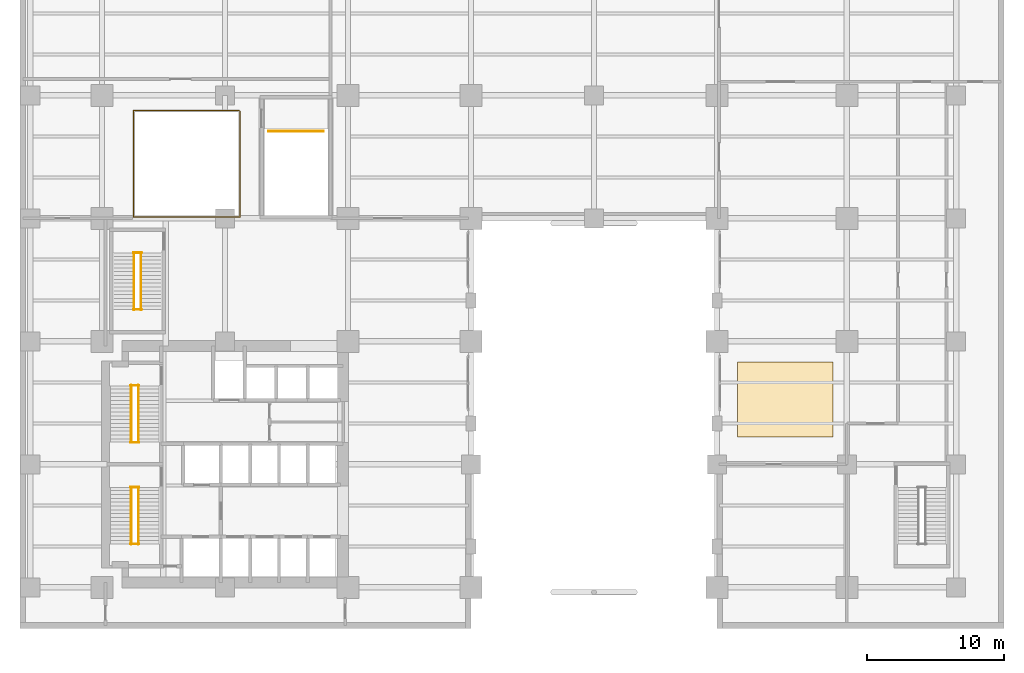
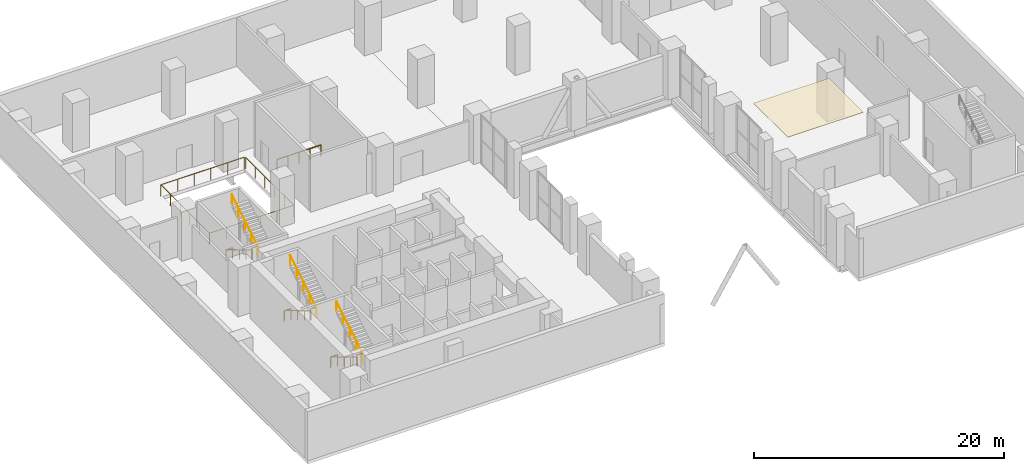
# One storey, part 12 of 13: 15 railings, 1 covering.
"""IFC4 building model written with IfcOpenShell, lengths in metres."""

import ifcopenshell
import ifcopenshell.guid

model = None  # the IFC model being written
_history = None  # IfcOwnerHistory: only IFC2X3 demands one
_inside = {}  # id of a spatial element -> (the spatial element, [elements in it])
_under = {}  # id of a project, library or spatial element -> (it, [spatial elements below it])
_declared = {}  # id of a project -> (the project, [libraries it declares])
_typed = {}  # id of a type object -> (the type object, [elements of that type])
_made_of = {}  # id of a material, layer set ... -> (it, [elements and type objects made of it])


def new_model(schema):
    """Start an empty IFC model of exactly this schema.

    Asked for "IFC4X3", IfcOpenShell would pick the latest addendum, in which some entities
    have other attributes; the version numbers below select the first issue.
    IFC2X3 requires an IfcOwnerHistory on every rooted entity: one is made here for all.
    """
    global model, _history
    if schema == "IFC4X3":
        model = ifcopenshell.file(schema_version=(4, 3, 0, 0))
    else:
        model = ifcopenshell.file(schema=schema)
    _inside.clear()
    _under.clear()
    _declared.clear()
    _typed.clear()
    _made_of.clear()
    _history = None
    if model.schema == "IFC2X3":
        org = make("IfcOrganization", Name="unknown")
        user = make(
            "IfcPersonAndOrganization",
            ThePerson=make("IfcPerson", FamilyName="unknown"),
            TheOrganization=org,
        )
        app = make(
            "IfcApplication",
            ApplicationDeveloper=org,
            Version="unknown",
            ApplicationFullName="unknown",
            ApplicationIdentifier="unknown",
        )
        _history = make(
            "IfcOwnerHistory",
            OwningUser=user,
            OwningApplication=app,
            ChangeAction="ADDED",
            CreationDate=0,
        )
    return model


def make(cls, **values):
    """One entity of the class cls with the attributes given. An attribute that is None is left unset."""
    return model.create_entity(
        cls, **{name: value for name, value in values.items() if value is not None}
    )


def rooted(cls, **values):
    """An entity with a GlobalId (a new one), such as an element, a storey or a relation."""
    return make(cls, GlobalId=ifcopenshell.guid.new(), OwnerHistory=_history, **values)


def si_unit(unit_type, name, prefix=None):
    """IfcSIUnit, for example si_unit("LENGTHUNIT", "METRE", prefix="MILLI")."""
    return make("IfcSIUnit", UnitType=unit_type, Prefix=prefix, Name=name)


def assignment(units):
    """IfcUnitAssignment: the units of a project."""
    return None if units is None else make("IfcUnitAssignment", Units=units)


def point(xyz):
    """IfcCartesianPoint."""
    return None if xyz is None else make("IfcCartesianPoint", Coordinates=xyz)


def direction(xyz):
    """IfcDirection."""
    return None if xyz is None else make("IfcDirection", DirectionRatios=xyz)


def frame(location, z_axis=None, x_axis=None):
    """IfcAxis2Placement3D, a coordinate frame: its origin and axes. An axis left out is left unset."""
    return make(
        "IfcAxis2Placement3D",
        Location=point(location),
        Axis=direction(z_axis),
        RefDirection=direction(x_axis),
    )


def frame_2d(location, x_axis=None):
    """IfcAxis2Placement2D, a coordinate frame in the plane: its origin and x axis."""
    return make(
        "IfcAxis2Placement2D", Location=point(location), RefDirection=direction(x_axis)
    )


def origin():
    """The frame at (0, 0, 0) with its axes left unset."""
    return frame((0.0, 0.0, 0.0))


def origin_2d():
    """The frame at (0, 0) in the plane with its x axis left unset."""
    return frame_2d((0.0, 0.0))


def place(relative_to, where):
    """IfcLocalPlacement: puts the frame where relative to a parent placement (None: the world)."""
    return make(
        "IfcLocalPlacement", PlacementRelTo=relative_to, RelativePlacement=where
    )


def context(
    kind, dimensions, precision=None, world=None, true_north=None, identifier=None
):
    """IfcGeometricRepresentationContext, for example the 3D "Model" context."""
    return make(
        "IfcGeometricRepresentationContext",
        ContextIdentifier=identifier,
        ContextType=kind,
        CoordinateSpaceDimension=dimensions,
        Precision=precision,
        WorldCoordinateSystem=world,
        TrueNorth=true_north,
    )


def subcontext(parent, identifier, kind, view, scale=None):
    """IfcGeometricRepresentationSubContext, for example "Body" below "Model"."""
    return make(
        "IfcGeometricRepresentationSubContext",
        ContextIdentifier=identifier,
        ContextType=kind,
        ParentContext=parent,
        TargetScale=scale,
        TargetView=view,
    )


def project(units=None, contexts=None):
    """IfcProject with its units and contexts."""
    return rooted(
        "IfcProject",
        Name="project",
        RepresentationContexts=contexts,
        UnitsInContext=assignment(units),
    )


def spatial(cls, under=None, at=None, **own):
    """A site, building, storey or space (cls), placed at a placement, below another one or the project."""
    s = rooted(cls, ObjectPlacement=at, **own)
    if under is not None:
        _under.setdefault(under.id(), (under, []))[1].append(s)
    return s


def polyline(points):
    """IfcPolyline through the points."""
    return make("IfcPolyline", Points=[point(p) for p in points])


def profile(cls, at=None, kind="AREA", **sizes):
    """A parametric profile (cls). Its sizes go by their IFC names, for example OverallWidth=200.0."""
    return make(cls, ProfileType=kind, Position=at, **sizes)


def circle(**sizes):
    """IfcCircleProfileDef."""
    return profile("IfcCircleProfileDef", **sizes)


def outline(outer, holes=None, kind="AREA"):
    """IfcArbitraryClosedProfileDef: a profile drawn as a closed curve; with holes, ...WithVoids."""
    if holes is None:
        return make("IfcArbitraryClosedProfileDef", ProfileType=kind, OuterCurve=outer)
    return make(
        "IfcArbitraryProfileDefWithVoids",
        ProfileType=kind,
        OuterCurve=outer,
        InnerCurves=holes,
    )


def extrude(swept, where, along, depth):
    """IfcExtrudedAreaSolid: the profile swept, set in the frame where, extruded along a direction by depth."""
    return make(
        "IfcExtrudedAreaSolid",
        SweptArea=swept,
        Position=where,
        ExtrudedDirection=direction(along),
        Depth=depth,
    )


def shape(context_of_items, identifier, shape_type, items):
    """IfcShapeRepresentation: the items that make up one representation, for example the "Body"."""
    return make(
        "IfcShapeRepresentation",
        ContextOfItems=context_of_items,
        RepresentationIdentifier=identifier,
        RepresentationType=shape_type,
        Items=items,
    )


def material(Name=None, Category=None):
    """IfcMaterial."""
    return make("IfcMaterial", Name=Name, Category=Category)


def layer(
    of_material, thickness, ventilated=None, Name=None, Category=None, Priority=None
):
    """IfcMaterialLayer: one layer of a wall or slab, of a material (None: an air gap)."""
    return make(
        "IfcMaterialLayer",
        Material=of_material,
        LayerThickness=thickness,
        IsVentilated=ventilated,
        Name=Name,
        Category=Category,
        Priority=Priority,
    )


def layer_set(layers, Name=None):
    """IfcMaterialLayerSet."""
    return make("IfcMaterialLayerSet", MaterialLayers=layers, LayerSetName=Name)


def made_of(thing, what):
    """Note that an element or type object is made of a material, layer set ...; save() writes the relation."""
    if what is not None:
        _made_of.setdefault(what.id(), (what, []))[1].append(thing)
    return thing


def type_object(cls, material=None, **own):
    """A type object (cls), such as IfcWallType, which elements share."""
    return made_of(rooted(cls, **own), material)


def element(
    cls,
    number,
    at=None,
    inside=None,
    cuts=None,
    type_object=None,
    material=None,
    context=None,
    identifier="Body",
    shape_type=None,
    held_by="IfcProductDefinitionShape",
    body=None,
    shapes=None,
    **own,
):
    """One element of the class cls, such as IfcWall. Its Tag is "e" and its number.

    at: its placement. inside: the storey or other place that contains it. cuts: it is an
    opening in that element (IfcRelVoidsElement). A single representation is given by context,
    identifier, shape_type and body (its items); several are given by shapes. held_by: the class
    of the entity that holds the representations. save() writes the other relations.
    """
    e = rooted(cls, Tag="e%d" % number, ObjectPlacement=at, **own)
    if body is not None:
        shapes = [shape(context, identifier, shape_type, body)]
    if shapes is not None:
        e.Representation = make(held_by, Representations=shapes)
    if inside is not None:
        _inside.setdefault(inside.id(), (inside, []))[1].append(e)
    if cuts is not None:
        rooted(
            "IfcRelVoidsElement", RelatingBuildingElement=cuts, RelatedOpeningElement=e
        )
    if type_object is not None:
        _typed.setdefault(type_object.id(), (type_object, []))[1].append(e)
    return made_of(e, material)


def aggregate(whole, parts):
    """IfcRelAggregates: a whole, such as a stair, and the parts it consists of."""
    return rooted("IfcRelAggregates", RelatingObject=whole, RelatedObjects=parts)


def save(model, path):
    """Write the relations noted so far, then the file.

    IfcRelAggregates (storeys below a building ...), IfcRelContainedInSpatialStructure (elements
    in a storey), IfcRelDefinesByType, IfcRelAssociatesMaterial and IfcRelDeclares: one each for
    every whole, place, type object, material and project.
    """
    for whole, parts in _under.values():
        aggregate(whole, parts)
    for where, things in _inside.values():
        rooted(
            "IfcRelContainedInSpatialStructure",
            RelatedElements=things,
            RelatingStructure=where,
        )
    for kind, things in _typed.values():
        rooted("IfcRelDefinesByType", RelatedObjects=things, RelatingType=kind)
    for what, things in _made_of.values():
        rooted("IfcRelAssociatesMaterial", RelatedObjects=things, RelatingMaterial=what)
    for by, libraries in _declared.values():
        rooted("IfcRelDeclares", RelatingContext=by, RelatedDefinitions=libraries)
    model.write(path)


model = new_model("IFC4")

# Units and contexts
model_context = context("Model", 3, precision=1e-05, world=origin(), true_north=direction((0.0, 1.0)))
body_context = subcontext(model_context, "Body", "Model", "MODEL_VIEW")
ifc_project = project(units=[si_unit("LENGTHUNIT", "METRE"), si_unit("AREAUNIT", "SQUARE_METRE"), si_unit("VOLUMEUNIT", "CUBIC_METRE"), si_unit("PLANEANGLEUNIT", "RADIAN"), si_unit("MASSUNIT", "GRAM", prefix="KILO")], contexts=[model_context])

# Site, building, storey
site_placement = place(None, origin())
site = spatial("IfcSite", under=ifc_project, at=site_placement, CompositionType="ELEMENT")
building_placement = place(site_placement, origin())
building = spatial("IfcBuilding", under=site, at=building_placement, Name="Mawjdan Bourse Tower", CompositionType="ELEMENT")
storey_placement = place(building_placement, frame((0.0, 0.0, 10.800048828125)))
storey = spatial("IfcBuildingStorey", under=building, at=storey_placement, Name="L02", CompositionType="ELEMENT", Elevation=10.800048828125)

# Covering
ifc_material_1 = material(Name="Perforated Mineral-Fibre Acoustic Ceiling")
ifc_layer = layer(ifc_material_1, 0.044921875)
ifc_layer_set = layer_set([ifc_layer], Name="Perforated Mineral-Fibre Acoustic Ceiling")
covering_type = type_object("IfcCoveringType", Name="COV-CLG-AC", PredefinedType="CEILING", material=ifc_layer_set)
covering_placement = place(storey_placement, frame((0.0, 0.0, 4.7548828125)))
element("IfcCovering", 1, at=covering_placement, inside=storey, type_object=covering_type, Name="L02 Suspended Acoustic Ceiling", PredefinedType="CEILING", context=body_context, shape_type="SweptSolid", body=[
    extrude(outline(polyline([(52.5, 14.0), (59.5, 14.0), (59.5, 19.5), (52.5, 19.5), (52.5, 14.0)])), origin(), (0.0, 0.0, 1.0), 0.045166015625),
])

# Railings
ifc_material_2 = material(Name="Stainless Steel and Laminated Glass", Category="steel")
railing_type_1 = type_object("IfcRailingType", Name="RLG-BAL-1150", PredefinedType="BALUSTRADE", material=ifc_material_2)
railing_1_placement = place(storey_placement, frame((8.300048828125, 30.10009765625, 0.0)))
element("IfcRailing", 2, at=railing_1_placement, inside=storey, type_object=railing_type_1, Name="L02 Exchange Hall Overlook Balustrade SE", PredefinedType="BALUSTRADE", context=body_context, shape_type="SweptSolid", body=[
    extrude(circle(Radius=0.02685546875, at=origin_2d()), frame((0.0, 0.0, 1.123046875), z_axis=(1.0, 0.0, 0.0), x_axis=(0.0, 1.0, 0.0)), (0.0, 0.0, 1.0), 7.800048828125),
    extrude(circle(Radius=0.02685546875, at=origin_2d()), frame((7.800048828125, 0.0, 1.123046875), z_axis=(0.0, 1.0, 0.0), x_axis=(-1.0, 0.0, 0.0)), (0.0, 0.0, 1.0), 7.719970703125),
    extrude(circle(Radius=0.02294921875, at=origin_2d()), origin(), (0.0, 0.0, 1.0), 1.095947265625),
    extrude(circle(Radius=0.02294921875, at=origin_2d()), frame((1.56005859375, 0.0, 0.0)), (0.0, 0.0, 1.0), 1.095947265625),
    extrude(circle(Radius=0.02294921875, at=origin_2d()), frame((3.1201171875, 0.0, 0.0)), (0.0, 0.0, 1.0), 1.095947265625),
    extrude(circle(Radius=0.02294921875, at=origin_2d()), frame((4.679931640625, 0.0, 0.0)), (0.0, 0.0, 1.0), 1.095947265625),
    extrude(circle(Radius=0.02294921875, at=origin_2d()), frame((6.239990234375, 0.0, 0.0)), (0.0, 0.0, 1.0), 1.095947265625),
    extrude(circle(Radius=0.02294921875, at=origin_2d()), frame((7.800048828125, 0.0, 0.0)), (0.0, 0.0, 1.0), 1.095947265625),
    extrude(circle(Radius=0.02294921875, at=origin_2d()), frame((7.800048828125, 1.5439453125, 0.0)), (0.0, 0.0, 1.0), 1.095947265625),
    extrude(circle(Radius=0.02294921875, at=origin_2d()), frame((7.800048828125, 3.087890625, 0.0)), (0.0, 0.0, 1.0), 1.095947265625),
    extrude(circle(Radius=0.02294921875, at=origin_2d()), frame((7.800048828125, 4.632080078125, 0.0)), (0.0, 0.0, 1.0), 1.095947265625),
    extrude(circle(Radius=0.02294921875, at=origin_2d()), frame((7.800048828125, 6.176025390625, 0.0)), (0.0, 0.0, 1.0), 1.095947265625),
    extrude(circle(Radius=0.02294921875, at=origin_2d()), frame((7.800048828125, 7.719970703125, 0.0)), (0.0, 0.0, 1.0), 1.095947265625),
])
railing_2_placement = place(storey_placement, frame((16.02001953125, 37.89990234375, 0.0)))
element("IfcRailing", 3, at=railing_2_placement, inside=storey, type_object=railing_type_1, Name="L02 Exchange Hall Overlook Balustrade NW", PredefinedType="BALUSTRADE", context=body_context, shape_type="SweptSolid", body=[
    extrude(circle(Radius=0.02685546875, at=origin_2d()), frame((0.0, 0.0, 1.123046875), z_axis=(-1.0, 0.0, 0.0), x_axis=(0.0, -1.0, 0.0)), (0.0, 0.0, 1.0), 7.719970703125),
    extrude(circle(Radius=0.02685546875, at=origin_2d()), frame((-7.719970703125, 0.0, 1.123046875), z_axis=(0.0, -1.0, 0.0), x_axis=(1.0, 0.0, 0.0)), (0.0, 0.0, 1.0), 7.719970703125),
    extrude(circle(Radius=0.02294921875, at=origin_2d()), origin(), (0.0, 0.0, 1.0), 1.095947265625),
    extrude(circle(Radius=0.02294921875, at=origin_2d()), frame((-1.5439453125, 0.0, 0.0)), (0.0, 0.0, 1.0), 1.095947265625),
    extrude(circle(Radius=0.02294921875, at=origin_2d()), frame((-3.087890625, 0.0, 0.0)), (0.0, 0.0, 1.0), 1.095947265625),
    extrude(circle(Radius=0.02294921875, at=origin_2d()), frame((-4.632080078125, 0.0, 0.0)), (0.0, 0.0, 1.0), 1.095947265625),
    extrude(circle(Radius=0.02294921875, at=origin_2d()), frame((-6.176025390625, 0.0, 0.0)), (0.0, 0.0, 1.0), 1.095947265625),
    extrude(circle(Radius=0.02294921875, at=origin_2d()), frame((-7.719970703125, 0.0, 0.0)), (0.0, 0.0, 1.0), 1.095947265625),
    extrude(circle(Radius=0.02294921875, at=origin_2d()), frame((-7.719970703125, -1.5439453125, 0.0)), (0.0, 0.0, 1.0), 1.095947265625),
    extrude(circle(Radius=0.02294921875, at=origin_2d()), frame((-7.719970703125, -3.087890625, 0.0)), (0.0, 0.0, 1.0), 1.095947265625),
    extrude(circle(Radius=0.02294921875, at=origin_2d()), frame((-7.719970703125, -4.632080078125, 0.0)), (0.0, 0.0, 1.0), 1.095947265625),
    extrude(circle(Radius=0.02294921875, at=origin_2d()), frame((-7.719970703125, -6.176025390625, 0.0)), (0.0, 0.0, 1.0), 1.095947265625),
    extrude(circle(Radius=0.02294921875, at=origin_2d()), frame((-7.719970703125, -7.719970703125, 0.0)), (0.0, 0.0, 1.0), 1.095947265625),
])
ifc_material_3 = material(Name="Structural Steel S355", Category="steel")
railing_type_2 = type_object("IfcRailingType", Name="RLG-GRD-1100", PredefinedType="GUARDRAIL", material=ifc_material_3)
for number, where, name in (
    (4, (8.090087890625, 6.169921875, 2.699951171875), "L02 ST1 Landing Guardrail GL-MID"),
    (5, (8.090087890625, 10.330078125, 0.0), "L02 ST1 Landing Guardrail GL-BOT"),
    (6, (8.090087890625, 13.610107421875, 2.699951171875), "L02 ST2 Landing Guardrail GL-MID"),
    (7, (8.090087890625, 17.77001953125, 0.0), "L02 ST2 Landing Guardrail GL-BOT"),
    (8, (8.2900390625, 23.320068359375, 2.699951171875), "L02 ST3 Landing Guardrail GL-MID"),
    (9, (8.2900390625, 27.47998046875, 0.0), "L02 ST3 Landing Guardrail GL-BOT"),
):
    element("IfcRailing", number, at=place(storey_placement, frame(where)), inside=storey, type_object=railing_type_2, Name=name, PredefinedType="GUARDRAIL", context=body_context, shape_type="SweptSolid", body=[
        extrude(circle(Radius=0.02490234375, at=origin_2d()), frame((0.0, 0.0, 1.0751953125), z_axis=(1.0, 0.0, 0.0), x_axis=(0.0, 1.0, 0.0)), (0.0, 0.0, 1.0), 0.619873046875),
        extrude(circle(Radius=0.02099609375, at=origin_2d()), origin(), (0.0, 0.0, 1.0), 1.050048828125),
        extrude(circle(Radius=0.02099609375, at=origin_2d()), frame((0.619873046875, 0.0, 0.0)), (0.0, 0.0, 1.0), 1.050048828125),
    ])
railing_3_placement = place(storey_placement, frame((18.179931640625, 36.3701171875, 0.0)))
element("IfcRailing", 10, at=railing_3_placement, inside=storey, type_object=railing_type_2, Name="L02 ST4 Top Well Guardrail", PredefinedType="GUARDRAIL", context=body_context, shape_type="SweptSolid", body=[
    extrude(circle(Radius=0.02490234375, at=origin_2d()), frame((0.0, 0.0, 1.0751953125), z_axis=(1.0, 0.0, 0.0), x_axis=(0.0, 1.0, 0.0)), (0.0, 0.0, 1.0), 4.0400390625),
    extrude(circle(Radius=0.02099609375, at=origin_2d()), origin(), (0.0, 0.0, 1.0), 1.050048828125),
    extrude(circle(Radius=0.02099609375, at=origin_2d()), frame((1.010009765625, 0.0, 0.0)), (0.0, 0.0, 1.0), 1.050048828125),
    extrude(circle(Radius=0.02099609375, at=origin_2d()), frame((2.02001953125, 0.0, 0.0)), (0.0, 0.0, 1.0), 1.050048828125),
    extrude(circle(Radius=0.02099609375, at=origin_2d()), frame((3.030029296875, 0.0, 0.0)), (0.0, 0.0, 1.0), 1.050048828125),
    extrude(circle(Radius=0.02099609375, at=origin_2d()), frame((4.0400390625, 0.0, 0.0)), (0.0, 0.0, 1.0), 1.050048828125),
])
ifc_material_4 = material(Name="Brushed Stainless Steel", Category="steel")
railing_type_3 = type_object("IfcRailingType", Name="RLG-HND-920", PredefinedType="HANDRAIL", material=ifc_material_4)
railing_4_placement = place(storey_placement, frame((8.139892578125, 10.35009765625, 0.168701171875)))
element("IfcRailing", 11, at=railing_4_placement, inside=storey, type_object=railing_type_3, Name="L02 ST1 Flight Handrail HR1", PredefinedType="HANDRAIL", context=body_context, shape_type="SweptSolid", body=[
    extrude(circle(Radius=0.0224609375, at=origin_2d()), frame((0.0, 0.0, 0.8974609375), z_axis=(0.0, -0.856489757249, 0.516164020179), x_axis=(1.0, 0.0, 0.0)), (0.0, 0.0, 1.0), 4.904052734375),
    extrude(circle(Radius=0.01904296875, at=origin_2d()), origin(), (0.0, 0.0, 1.0), 0.875),
    extrude(circle(Radius=0.01904296875, at=origin_2d()), frame((0.0, -1.050048828125, 0.6328125)), (0.0, 0.0, 1.0), 0.875),
    extrude(circle(Radius=0.01904296875, at=origin_2d()), frame((0.0, -2.10009765625, 1.265625)), (0.0, 0.0, 1.0), 0.875),
    extrude(circle(Radius=0.01904296875, at=origin_2d()), frame((0.0, -3.150146484375, 1.8984375)), (0.0, 0.0, 1.0), 0.875),
    extrude(circle(Radius=0.01904296875, at=origin_2d()), frame((0.0, -4.2001953125, 2.53125)), (0.0, 0.0, 1.0), 0.875),
])
railing_5_placement = place(storey_placement, frame((8.659912109375, 6.14990234375, 2.86865234375)))
element("IfcRailing", 12, at=railing_5_placement, inside=storey, type_object=railing_type_3, Name="L02 ST1 Flight Handrail HR2", PredefinedType="HANDRAIL", context=body_context, shape_type="SweptSolid", body=[
    extrude(circle(Radius=0.0224609375, at=origin_2d()), frame((0.0, 0.0, 0.8974609375), z_axis=(0.0, 0.856489757249, 0.516164020179), x_axis=(-1.0, 0.0, 0.0)), (0.0, 0.0, 1.0), 4.904052734375),
    extrude(circle(Radius=0.01904296875, at=origin_2d()), origin(), (0.0, 0.0, 1.0), 0.875),
    extrude(circle(Radius=0.01904296875, at=origin_2d()), frame((0.0, 1.050048828125, 0.6328125)), (0.0, 0.0, 1.0), 0.875),
    extrude(circle(Radius=0.01904296875, at=origin_2d()), frame((0.0, 2.10009765625, 1.265625)), (0.0, 0.0, 1.0), 0.875),
    extrude(circle(Radius=0.01904296875, at=origin_2d()), frame((0.0, 3.150146484375, 1.8984375)), (0.0, 0.0, 1.0), 0.875),
    extrude(circle(Radius=0.01904296875, at=origin_2d()), frame((0.0, 4.2001953125, 2.53125)), (0.0, 0.0, 1.0), 0.875),
])
railing_6_placement = place(storey_placement, frame((8.139892578125, 17.7900390625, 0.168701171875)))
element("IfcRailing", 13, at=railing_6_placement, inside=storey, type_object=railing_type_3, Name="L02 ST2 Flight Handrail HR1", PredefinedType="HANDRAIL", context=body_context, shape_type="SweptSolid", body=[
    extrude(circle(Radius=0.0224609375, at=origin_2d()), frame((0.0, 0.0, 0.8974609375), z_axis=(0.0, -0.856476492594, 0.516186030065), x_axis=(1.0, 0.0, 0.0)), (0.0, 0.0, 1.0), 4.90380859375),
    extrude(circle(Radius=0.01904296875, at=origin_2d()), origin(), (0.0, 0.0, 1.0), 0.875),
    extrude(circle(Radius=0.01904296875, at=origin_2d()), frame((0.0, -1.050048828125, 0.6328125)), (0.0, 0.0, 1.0), 0.875),
    extrude(circle(Radius=0.01904296875, at=origin_2d()), frame((0.0, -2.10009765625, 1.265625)), (0.0, 0.0, 1.0), 0.875),
    extrude(circle(Radius=0.01904296875, at=origin_2d()), frame((0.0, -3.14990234375, 1.8984375)), (0.0, 0.0, 1.0), 0.875),
    extrude(circle(Radius=0.01904296875, at=origin_2d()), frame((0.0, -4.199951171875, 2.53125)), (0.0, 0.0, 1.0), 0.875),
])
railing_7_placement = place(storey_placement, frame((8.659912109375, 13.590087890625, 2.86865234375)))
element("IfcRailing", 14, at=railing_7_placement, inside=storey, type_object=railing_type_3, Name="L02 ST2 Flight Handrail HR2", PredefinedType="HANDRAIL", context=body_context, shape_type="SweptSolid", body=[
    extrude(circle(Radius=0.0224609375, at=origin_2d()), frame((0.0, 0.0, 0.8974609375), z_axis=(0.0, 0.856476492594, 0.516186030065), x_axis=(-1.0, 0.0, 0.0)), (0.0, 0.0, 1.0), 4.90380859375),
    extrude(circle(Radius=0.01904296875, at=origin_2d()), origin(), (0.0, 0.0, 1.0), 0.875),
    extrude(circle(Radius=0.01904296875, at=origin_2d()), frame((0.0, 1.050048828125, 0.6328125)), (0.0, 0.0, 1.0), 0.875),
    extrude(circle(Radius=0.01904296875, at=origin_2d()), frame((0.0, 2.10009765625, 1.265625)), (0.0, 0.0, 1.0), 0.875),
    extrude(circle(Radius=0.01904296875, at=origin_2d()), frame((0.0, 3.14990234375, 1.8984375)), (0.0, 0.0, 1.0), 0.875),
    extrude(circle(Radius=0.01904296875, at=origin_2d()), frame((0.0, 4.199951171875, 2.53125)), (0.0, 0.0, 1.0), 0.875),
])
railing_8_placement = place(storey_placement, frame((8.340087890625, 27.5, 0.168701171875)))
element("IfcRailing", 15, at=railing_8_placement, inside=storey, type_object=railing_type_3, Name="L02 ST3 Flight Handrail HR1", PredefinedType="HANDRAIL", context=body_context, shape_type="SweptSolid", body=[
    extrude(circle(Radius=0.0224609375, at=origin_2d()), frame((0.0, 0.0, 0.8974609375), z_axis=(0.0, -0.856476492594, 0.516186030065), x_axis=(1.0, 0.0, 0.0)), (0.0, 0.0, 1.0), 4.90380859375),
    extrude(circle(Radius=0.01904296875, at=origin_2d()), origin(), (0.0, 0.0, 1.0), 0.875),
    extrude(circle(Radius=0.01904296875, at=origin_2d()), frame((0.0, -1.050048828125, 0.6328125)), (0.0, 0.0, 1.0), 0.875),
    extrude(circle(Radius=0.01904296875, at=origin_2d()), frame((0.0, -2.10009765625, 1.265625)), (0.0, 0.0, 1.0), 0.875),
    extrude(circle(Radius=0.01904296875, at=origin_2d()), frame((0.0, -3.14990234375, 1.8984375)), (0.0, 0.0, 1.0), 0.875),
    extrude(circle(Radius=0.01904296875, at=origin_2d()), frame((0.0, -4.199951171875, 2.53125)), (0.0, 0.0, 1.0), 0.875),
])
railing_9_placement = place(storey_placement, frame((8.860107421875, 23.300048828125, 2.86865234375)))
element("IfcRailing", 16, at=railing_9_placement, inside=storey, type_object=railing_type_3, Name="L02 ST3 Flight Handrail HR2", PredefinedType="HANDRAIL", context=body_context, shape_type="SweptSolid", body=[
    extrude(circle(Radius=0.0224609375, at=origin_2d()), frame((0.0, 0.0, 0.8974609375), z_axis=(0.0, 0.856476492594, 0.516186030065), x_axis=(-1.0, 0.0, 0.0)), (0.0, 0.0, 1.0), 4.90380859375),
    extrude(circle(Radius=0.01904296875, at=origin_2d()), origin(), (0.0, 0.0, 1.0), 0.875),
    extrude(circle(Radius=0.01904296875, at=origin_2d()), frame((0.0, 1.050048828125, 0.6328125)), (0.0, 0.0, 1.0), 0.875),
    extrude(circle(Radius=0.01904296875, at=origin_2d()), frame((0.0, 2.10009765625, 1.265625)), (0.0, 0.0, 1.0), 0.875),
    extrude(circle(Radius=0.01904296875, at=origin_2d()), frame((0.0, 3.14990234375, 1.8984375)), (0.0, 0.0, 1.0), 0.875),
    extrude(circle(Radius=0.01904296875, at=origin_2d()), frame((0.0, 4.199951171875, 2.53125)), (0.0, 0.0, 1.0), 0.875),
])

save(model, "model.ifc")
